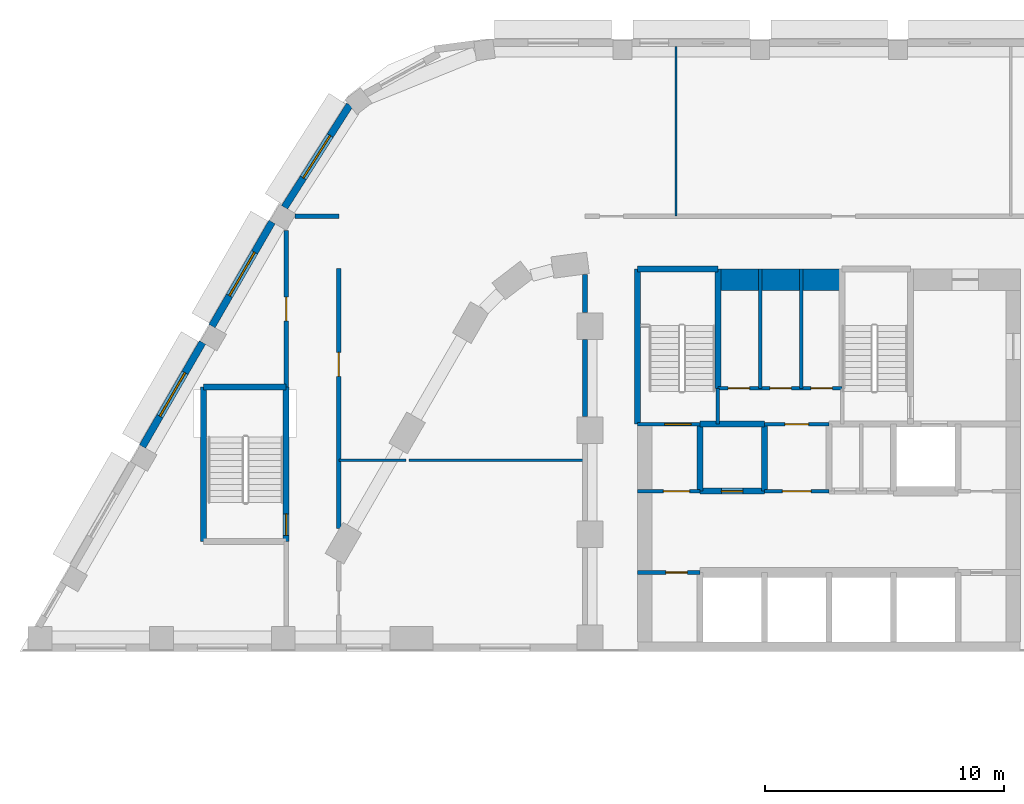
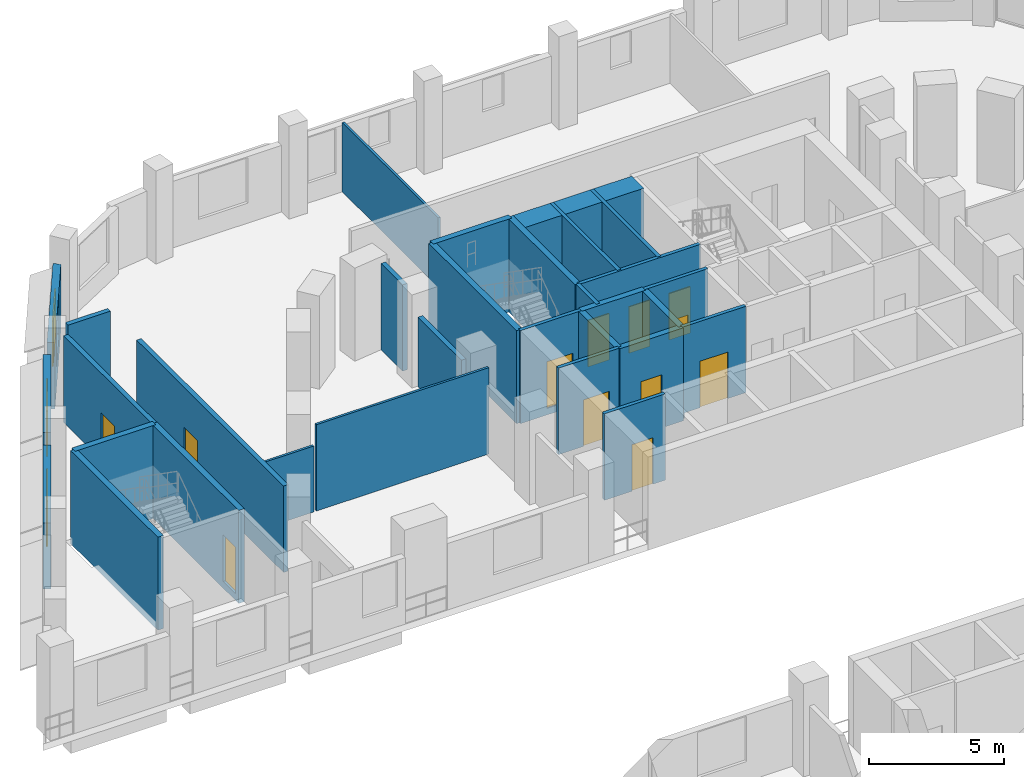
# One storey, part 23 of 47: 31 walls, 12 doors, 3 windows, 15 openings.
"""IFC4 building model written with IfcOpenShell, lengths in metres."""

import ifcopenshell
import ifcopenshell.guid

model = None  # the IFC model being written
_history = None  # IfcOwnerHistory: only IFC2X3 demands one
_inside = {}  # id of a spatial element -> (the spatial element, [elements in it])
_under = {}  # id of a project, library or spatial element -> (it, [spatial elements below it])
_declared = {}  # id of a project -> (the project, [libraries it declares])
_typed = {}  # id of a type object -> (the type object, [elements of that type])
_made_of = {}  # id of a material, layer set ... -> (it, [elements and type objects made of it])


def new_model(schema):
    """Start an empty IFC model of exactly this schema.

    Asked for "IFC4X3", IfcOpenShell would pick the latest addendum, in which some entities
    have other attributes; the version numbers below select the first issue.
    IFC2X3 requires an IfcOwnerHistory on every rooted entity: one is made here for all.
    """
    global model, _history
    if schema == "IFC4X3":
        model = ifcopenshell.file(schema_version=(4, 3, 0, 0))
    else:
        model = ifcopenshell.file(schema=schema)
    _inside.clear()
    _under.clear()
    _declared.clear()
    _typed.clear()
    _made_of.clear()
    _history = None
    if model.schema == "IFC2X3":
        org = make("IfcOrganization", Name="unknown")
        user = make(
            "IfcPersonAndOrganization",
            ThePerson=make("IfcPerson", FamilyName="unknown"),
            TheOrganization=org,
        )
        app = make(
            "IfcApplication",
            ApplicationDeveloper=org,
            Version="unknown",
            ApplicationFullName="unknown",
            ApplicationIdentifier="unknown",
        )
        _history = make(
            "IfcOwnerHistory",
            OwningUser=user,
            OwningApplication=app,
            ChangeAction="ADDED",
            CreationDate=0,
        )
    return model


def make(cls, **values):
    """One entity of the class cls with the attributes given. An attribute that is None is left unset."""
    return model.create_entity(
        cls, **{name: value for name, value in values.items() if value is not None}
    )


def rooted(cls, **values):
    """An entity with a GlobalId (a new one), such as an element, a storey or a relation."""
    return make(cls, GlobalId=ifcopenshell.guid.new(), OwnerHistory=_history, **values)


def si_unit(unit_type, name, prefix=None):
    """IfcSIUnit, for example si_unit("LENGTHUNIT", "METRE", prefix="MILLI")."""
    return make("IfcSIUnit", UnitType=unit_type, Prefix=prefix, Name=name)


def assignment(units):
    """IfcUnitAssignment: the units of a project."""
    return None if units is None else make("IfcUnitAssignment", Units=units)


def point(xyz):
    """IfcCartesianPoint."""
    return None if xyz is None else make("IfcCartesianPoint", Coordinates=xyz)


def direction(xyz):
    """IfcDirection."""
    return None if xyz is None else make("IfcDirection", DirectionRatios=xyz)


def frame(location, z_axis=None, x_axis=None):
    """IfcAxis2Placement3D, a coordinate frame: its origin and axes. An axis left out is left unset."""
    return make(
        "IfcAxis2Placement3D",
        Location=point(location),
        Axis=direction(z_axis),
        RefDirection=direction(x_axis),
    )


def frame_2d(location, x_axis=None):
    """IfcAxis2Placement2D, a coordinate frame in the plane: its origin and x axis."""
    return make(
        "IfcAxis2Placement2D", Location=point(location), RefDirection=direction(x_axis)
    )


def origin():
    """The frame at (0, 0, 0) with its axes left unset."""
    return frame((0.0, 0.0, 0.0))


def place(relative_to, where):
    """IfcLocalPlacement: puts the frame where relative to a parent placement (None: the world)."""
    return make(
        "IfcLocalPlacement", PlacementRelTo=relative_to, RelativePlacement=where
    )


def context(
    kind, dimensions, precision=None, world=None, true_north=None, identifier=None
):
    """IfcGeometricRepresentationContext, for example the 3D "Model" context."""
    return make(
        "IfcGeometricRepresentationContext",
        ContextIdentifier=identifier,
        ContextType=kind,
        CoordinateSpaceDimension=dimensions,
        Precision=precision,
        WorldCoordinateSystem=world,
        TrueNorth=true_north,
    )


def subcontext(parent, identifier, kind, view, scale=None):
    """IfcGeometricRepresentationSubContext, for example "Body" below "Model"."""
    return make(
        "IfcGeometricRepresentationSubContext",
        ContextIdentifier=identifier,
        ContextType=kind,
        ParentContext=parent,
        TargetScale=scale,
        TargetView=view,
    )


def project(units=None, contexts=None):
    """IfcProject with its units and contexts."""
    return rooted(
        "IfcProject",
        Name="project",
        RepresentationContexts=contexts,
        UnitsInContext=assignment(units),
    )


def spatial(cls, under=None, at=None, **own):
    """A site, building, storey or space (cls), placed at a placement, below another one or the project."""
    s = rooted(cls, ObjectPlacement=at, **own)
    if under is not None:
        _under.setdefault(under.id(), (under, []))[1].append(s)
    return s


def profile(cls, at=None, kind="AREA", **sizes):
    """A parametric profile (cls). Its sizes go by their IFC names, for example OverallWidth=200.0."""
    return make(cls, ProfileType=kind, Position=at, **sizes)


def rectangle(**sizes):
    """IfcRectangleProfileDef."""
    return profile("IfcRectangleProfileDef", **sizes)


def extrude(swept, where, along, depth):
    """IfcExtrudedAreaSolid: the profile swept, set in the frame where, extruded along a direction by depth."""
    return make(
        "IfcExtrudedAreaSolid",
        SweptArea=swept,
        Position=where,
        ExtrudedDirection=direction(along),
        Depth=depth,
    )


def shape(context_of_items, identifier, shape_type, items):
    """IfcShapeRepresentation: the items that make up one representation, for example the "Body"."""
    return make(
        "IfcShapeRepresentation",
        ContextOfItems=context_of_items,
        RepresentationIdentifier=identifier,
        RepresentationType=shape_type,
        Items=items,
    )


def material(Name=None, Category=None):
    """IfcMaterial."""
    return make("IfcMaterial", Name=Name, Category=Category)


def layer(
    of_material, thickness, ventilated=None, Name=None, Category=None, Priority=None
):
    """IfcMaterialLayer: one layer of a wall or slab, of a material (None: an air gap)."""
    return make(
        "IfcMaterialLayer",
        Material=of_material,
        LayerThickness=thickness,
        IsVentilated=ventilated,
        Name=Name,
        Category=Category,
        Priority=Priority,
    )


def layer_set(layers, Name=None):
    """IfcMaterialLayerSet."""
    return make("IfcMaterialLayerSet", MaterialLayers=layers, LayerSetName=Name)


def made_of(thing, what):
    """Note that an element or type object is made of a material, layer set ...; save() writes the relation."""
    if what is not None:
        _made_of.setdefault(what.id(), (what, []))[1].append(thing)
    return thing


def type_object(cls, material=None, **own):
    """A type object (cls), such as IfcWallType, which elements share."""
    return made_of(rooted(cls, **own), material)


def element(
    cls,
    number,
    at=None,
    inside=None,
    cuts=None,
    type_object=None,
    material=None,
    context=None,
    identifier="Body",
    shape_type=None,
    held_by="IfcProductDefinitionShape",
    body=None,
    shapes=None,
    **own,
):
    """One element of the class cls, such as IfcWall. Its Tag is "e" and its number.

    at: its placement. inside: the storey or other place that contains it. cuts: it is an
    opening in that element (IfcRelVoidsElement). A single representation is given by context,
    identifier, shape_type and body (its items); several are given by shapes. held_by: the class
    of the entity that holds the representations. save() writes the other relations.
    """
    e = rooted(cls, Tag="e%d" % number, ObjectPlacement=at, **own)
    if body is not None:
        shapes = [shape(context, identifier, shape_type, body)]
    if shapes is not None:
        e.Representation = make(held_by, Representations=shapes)
    if inside is not None:
        _inside.setdefault(inside.id(), (inside, []))[1].append(e)
    if cuts is not None:
        rooted(
            "IfcRelVoidsElement", RelatingBuildingElement=cuts, RelatedOpeningElement=e
        )
    if type_object is not None:
        _typed.setdefault(type_object.id(), (type_object, []))[1].append(e)
    return made_of(e, material)


def fill(opening, filler):
    """IfcRelFillsElement: the door or window that sits in an opening."""
    return rooted(
        "IfcRelFillsElement",
        RelatingOpeningElement=opening,
        RelatedBuildingElement=filler,
    )


def aggregate(whole, parts):
    """IfcRelAggregates: a whole, such as a stair, and the parts it consists of."""
    return rooted("IfcRelAggregates", RelatingObject=whole, RelatedObjects=parts)


def save(model, path):
    """Write the relations noted so far, then the file.

    IfcRelAggregates (storeys below a building ...), IfcRelContainedInSpatialStructure (elements
    in a storey), IfcRelDefinesByType, IfcRelAssociatesMaterial and IfcRelDeclares: one each for
    every whole, place, type object, material and project.
    """
    for whole, parts in _under.values():
        aggregate(whole, parts)
    for where, things in _inside.values():
        rooted(
            "IfcRelContainedInSpatialStructure",
            RelatedElements=things,
            RelatingStructure=where,
        )
    for kind, things in _typed.values():
        rooted("IfcRelDefinesByType", RelatedObjects=things, RelatingType=kind)
    for what, things in _made_of.values():
        rooted("IfcRelAssociatesMaterial", RelatedObjects=things, RelatingMaterial=what)
    for by, libraries in _declared.values():
        rooted("IfcRelDeclares", RelatingContext=by, RelatedDefinitions=libraries)
    model.write(path)


model = new_model("IFC4")

# Units and contexts
model_context = context("Model", 3, precision=1e-05, world=origin(), true_north=direction((0.0, 1.0)))
body_context = subcontext(model_context, "Body", "Model", "MODEL_VIEW")
ifc_project = project(units=[si_unit("LENGTHUNIT", "METRE"), si_unit("AREAUNIT", "SQUARE_METRE"), si_unit("VOLUMEUNIT", "CUBIC_METRE"), si_unit("PLANEANGLEUNIT", "RADIAN"), si_unit("MASSUNIT", "GRAM", prefix="KILO")], contexts=[model_context])

# Site, building, storey
site_placement = place(None, origin())
site = spatial("IfcSite", under=ifc_project, at=site_placement, CompositionType="ELEMENT")
building_placement = place(site_placement, origin())
building = spatial("IfcBuilding", under=site, at=building_placement, Name="Nakaniwa Court", CompositionType="ELEMENT")
storey_placement = place(building_placement, frame((0.0, 0.0, 15.60009765625)))
storey = spatial("IfcBuildingStorey", under=building, at=storey_placement, Name="L03", CompositionType="ELEMENT", Elevation=15.60009765625)

# Wall
ifc_material_1 = material(Name="Acoustic double stud partition")
ifc_layer_1 = layer(ifc_material_1, 0.199951171875)
ifc_layer_set_1 = layer_set([ifc_layer_1], Name="Acoustic double stud partition")
wall_type_1 = type_object("IfcWallType", Name="Acoustic double stud partition 200", PredefinedType="PARTITIONING", material=ifc_layer_set_1)
wall_1_placement = place(storey_placement, frame((57.676513671875, 105.60009765625, 0.0), z_axis=(0.0, 0.0, 1.0), x_axis=(1.0, 0.0, 0.0)))
element("IfcWall", 1, at=wall_1_placement, inside=storey, type_object=wall_type_1, Name="Partition PW-089", PredefinedType="PARTITIONING", context=body_context, shape_type="SweptSolid", body=[
    extrude(rectangle(XDim=1.823486328125, YDim=0.199951171875, at=frame_2d((0.91162109375, 0.0))), origin(), (0.0, 0.0, 1.0), 3.89990234375),
])

# Wall, opening, door
wall_2_placement = place(storey_placement, frame((57.300048828125, 98.447021484375, 0.0), z_axis=(0.0, 0.0, 1.0), x_axis=(0.0, 1.0, 0.0)))
wall_2 = element("IfcWall", 2, at=wall_2_placement, inside=storey, type_object=wall_type_1, Name="Partition PW-097", PredefinedType="PARTITIONING", context=body_context, shape_type="SweptSolid", body=[
    extrude(rectangle(XDim=6.544189453125, YDim=0.199951171875, at=frame_2d((3.27197265625, 0.0))), origin(), (0.0, 0.0, 1.0), 3.89990234375),
])
opening_1_placement = place(wall_2_placement, frame((2.77197265625, 0.0, 0.0)))
opening_1 = element("IfcOpeningElement", 3, at=opening_1_placement, cuts=wall_2, Name="Opening D-02-01", PredefinedType="OPENING", context=body_context, shape_type="SweptSolid", body=[
    extrude(rectangle(XDim=1.0, YDim=2.10009765625, at=frame_2d((0.5, 1.050048828125))), frame((0.0, 0.10986328125, 0.0), z_axis=(0.0, -1.0, 0.0), x_axis=(1.0, 0.0, 0.0)), (0.0, 0.0, 1.0), 0.219970703125),
])
ifc_material_2 = material(Name="Solid core timber door set, black veneer", Category="wood")
door_type_1 = type_object("IfcDoorType", Name="Internal door 1000", OperationType="NOTDEFINED", PredefinedType="DOOR", material=ifc_material_2)
door_1_placement = place(opening_1_placement, origin())
door_1 = element("IfcDoor", 4, at=door_1_placement, inside=storey, type_object=door_type_1, Name="Door D-02-01 L03-031", OperationType="SINGLE_SWING_RIGHT", OverallHeight=2.10009765625, OverallWidth=1.0, PredefinedType="DOOR", context=body_context, shape_type="SweptSolid", body=[
    extrude(rectangle(XDim=1.0, YDim=2.10009765625, at=frame_2d((0.5, 1.050048828125))), frame((0.0, 0.02490234375, 0.0), z_axis=(0.0, -1.0, 0.0), x_axis=(1.0, 0.0, 0.0)), (0.0, 0.0, 1.0), 0.050048828125),
])
fill(opening_1, door_1)

wall_3_placement = place(storey_placement, frame((59.5, 103.403076171875, 0.0), z_axis=(0.0, 0.0, 1.0), x_axis=(0.0, -1.0, 0.0)))
wall_3 = element("IfcWall", 5, at=wall_3_placement, inside=storey, type_object=wall_type_1, Name="Partition PW-101", PredefinedType="PARTITIONING", context=body_context, shape_type="SweptSolid", body=[
    extrude(rectangle(XDim=10.873291015625, YDim=0.199951171875, at=frame_2d((5.4365234375, 0.0))), origin(), (0.0, 0.0, 1.0), 3.89990234375),
])
opening_2_placement = place(wall_3_placement, frame((3.5029296875, 0.0, 0.0)))
opening_2 = element("IfcOpeningElement", 6, at=opening_2_placement, cuts=wall_3, Name="Opening D-02-06", PredefinedType="OPENING", context=body_context, shape_type="SweptSolid", body=[
    extrude(rectangle(XDim=1.0, YDim=2.10009765625, at=frame_2d((0.5, 1.050048828125))), frame((0.0, 0.10986328125, 0.0), z_axis=(0.0, -1.0, 0.0), x_axis=(1.0, 0.0, 0.0)), (0.0, 0.0, 1.0), 0.219970703125),
])
door_2_placement = place(opening_2_placement, origin())
door_2 = element("IfcDoor", 7, at=door_2_placement, inside=storey, type_object=door_type_1, Name="Door D-02-06 L03-036", OperationType="SINGLE_SWING_LEFT", OverallHeight=2.10009765625, OverallWidth=1.0, PredefinedType="DOOR", context=body_context, shape_type="SweptSolid", body=[
    extrude(rectangle(XDim=1.0, YDim=2.10009765625, at=frame_2d((0.5, 1.050048828125))), frame((0.0, 0.02490234375, 0.0), z_axis=(0.0, -1.0, 0.0), x_axis=(1.0, 0.0, 0.0)), (0.0, 0.0, 1.0), 0.050048828125),
])
fill(opening_2, door_2)

# Walls
wall_4_placement = place(storey_placement, frame((69.800048828125, 97.217041015625, 0.0), z_axis=(0.0, 0.0, 1.0), x_axis=(0.0, 1.0, 0.0)))
element("IfcWall", 8, at=wall_4_placement, inside=storey, type_object=wall_type_1, Name="Partition PW-116", PredefinedType="PARTITIONING", context=body_context, shape_type="SweptSolid", body=[
    extrude(rectangle(XDim=3.216064453125, YDim=0.199951171875, at=frame_2d((1.60791015625, 0.0))), origin(), (0.0, 0.0, 1.0), 3.1298828125),
])
wall_5_placement = place(storey_placement, frame((69.800048828125, 101.56689453125, 0.0), z_axis=(0.0, 0.0, 1.0), x_axis=(0.0, 1.0, 0.0)))
element("IfcWall", 9, at=wall_5_placement, inside=storey, type_object=wall_type_1, Name="Partition PW-117", PredefinedType="PARTITIONING", context=body_context, shape_type="SweptSolid", body=[
    extrude(rectangle(XDim=1.59423828125, YDim=0.199951171875, at=frame_2d((0.797119140625, 0.0))), origin(), (0.0, 0.0, 1.0), 3.89990234375),
])

# Wall, opening, window
ifc_material_3 = material(Name="Charcoal ceramic cladding")
ifc_layer_2 = layer(ifc_material_3, 0.02, Name="Ceramic cladding")
ifc_material_4 = material(Name="Ventilated air cavity")
ifc_layer_3 = layer(ifc_material_4, 0.04, ventilated=True, Name="Ventilated cavity")
ifc_material_5 = material(Name="Mineral wool insulation")
ifc_layer_4 = layer(ifc_material_5, 0.1, Name="Insulation")
ifc_material_6 = material(Name="Cement bonded sheathing board")
ifc_layer_5 = layer(ifc_material_6, 0.012, Name="Sheathing")
ifc_material_7 = material(Name="Cold-formed galvanised stud frame with mineral wool infill")
ifc_layer_6 = layer(ifc_material_7, 0.1, Name="Stud frame")
ifc_material_8 = material(Name="Fire-rated gypsum plasterboard lining")
ifc_layer_7 = layer(ifc_material_8, 0.028, Name="Lining")
ifc_layer_set_2 = layer_set([ifc_layer_2, ifc_layer_3, ifc_layer_4, ifc_layer_5, ifc_layer_6, ifc_layer_7], Name="Charcoal ceramic faced external wall system")
wall_type_2 = type_object("IfcWallType", Name="Black ceramic faced external wall 300", PredefinedType="SOLIDWALL", material=ifc_layer_set_2)
wall_6_placement = place(storey_placement, frame((56.7080078125, 105.357177734375, 0.0), z_axis=(0.0, 0.0, 1.0), x_axis=(-0.500011252833, -0.866018906861, 0.0)))
wall_6 = element("IfcWall", 10, at=wall_6_placement, inside=storey, type_object=wall_type_2, Name="L03 external wall 27", PredefinedType="SOLIDWALL", context=body_context, shape_type="SweptSolid", body=[
    extrude(rectangle(XDim=5.02490234375, YDim=0.300048828125, at=frame_2d((2.512451171875, 0.0))), origin(), (0.0, 0.0, 1.0), 3.0),
])
opening_3_placement = place(wall_6_placement, frame((1.46240234375, 0.0, 0.89990234375)))
opening_3 = element("IfcOpeningElement", 11, at=opening_3_placement, cuts=wall_6, Name="Opening W2.22", PredefinedType="OPENING", context=body_context, shape_type="SweptSolid", body=[
    extrude(rectangle(XDim=2.10009765625, YDim=2.050048828125, at=frame_2d((1.050048828125, 1.02490234375))), frame((0.0, 0.159912109375, 0.0), z_axis=(0.0, -1.0, 0.0), x_axis=(1.0, 0.0, 0.0)), (0.0, 0.0, 1.0), 0.320068359375),
])
ifc_material_9 = material(Name="Black anodised aluminium frame with dark low-E laminated double glazing", Category="aluminium")
window_type = type_object("IfcWindowType", Name="Dark glass window 2100x2050 sill 900", PartitioningType="SINGLE_PANEL", PredefinedType="WINDOW", material=ifc_material_9)
window_1_placement = place(opening_3_placement, origin())
window_1 = element("IfcWindow", 12, at=window_1_placement, inside=storey, type_object=window_type, Name="L03 habitable room window 27-0", OverallHeight=2.050048828125, OverallWidth=2.10009765625, PartitioningType="SINGLE_PANEL", PredefinedType="WINDOW", context=body_context, shape_type="SweptSolid", body=[
    extrude(rectangle(XDim=2.10009765625, YDim=2.050048828125, at=frame_2d((1.050048828125, 1.02490234375))), frame((0.0, 0.030029296875, 0.0), z_axis=(0.0, -1.0, 0.0), x_axis=(1.0, 0.0, 0.0)), (0.0, 0.0, 1.0), 0.06005859375),
])
fill(opening_3, window_1)

wall_7_placement = place(storey_placement, frame((53.799560546875, 100.319580078125, 0.0), z_axis=(0.0, 0.0, 1.0), x_axis=(-0.499974811625, -0.866039945811, 0.0)))
wall_7 = element("IfcWall", 13, at=wall_7_placement, inside=storey, type_object=wall_type_2, Name="L03 external wall 28", PredefinedType="SOLIDWALL", context=body_context, shape_type="SweptSolid", body=[
    extrude(rectangle(XDim=5.024658203125, YDim=0.300048828125, at=frame_2d((2.51220703125, 0.0))), origin(), (0.0, 0.0, 1.0), 3.0),
])
opening_4_placement = place(wall_7_placement, frame((1.46240234375, 0.0, 0.89990234375)))
opening_4 = element("IfcOpeningElement", 14, at=opening_4_placement, cuts=wall_7, Name="Opening W2.23", PredefinedType="OPENING", context=body_context, shape_type="SweptSolid", body=[
    extrude(rectangle(XDim=2.10009765625, YDim=2.050048828125, at=frame_2d((1.050048828125, 1.02490234375))), frame((0.0, 0.159912109375, 0.0), z_axis=(0.0, -1.0, 0.0), x_axis=(1.0, 0.0, 0.0)), (0.0, 0.0, 1.0), 0.320068359375),
])
window_2_placement = place(opening_4_placement, origin())
window_2 = element("IfcWindow", 15, at=window_2_placement, inside=storey, type_object=window_type, Name="L03 habitable room window 28-0", OverallHeight=2.050048828125, OverallWidth=2.10009765625, PartitioningType="SINGLE_PANEL", PredefinedType="WINDOW", context=body_context, shape_type="SweptSolid", body=[
    extrude(rectangle(XDim=2.10009765625, YDim=2.050048828125, at=frame_2d((1.050048828125, 1.02490234375))), frame((0.0, 0.030029296875, 0.0), z_axis=(0.0, -1.0, 0.0), x_axis=(1.0, 0.0, 0.0)), (0.0, 0.0, 1.0), 0.06005859375),
])
fill(opening_4, window_2)

wall_8_placement = place(storey_placement, frame((59.95361328125, 110.24755859375, 0.0), z_axis=(0.0, 0.0, 1.0), x_axis=(-0.537224370512, -0.843439372882, 0.0)))
wall_8 = element("IfcWall", 16, at=wall_8_placement, inside=storey, type_object=wall_type_2, Name="L03 external wall 53", PredefinedType="SOLIDWALL", context=body_context, shape_type="SweptSolid", body=[
    extrude(rectangle(XDim=5.07080078125, YDim=0.300048828125, at=frame_2d((2.535400390625, 0.0))), origin(), (0.0, 0.0, 1.0), 3.0),
])
opening_5_placement = place(wall_8_placement, frame((1.51318359375, 0.0, 0.89990234375)))
opening_5 = element("IfcOpeningElement", 17, at=opening_5_placement, cuts=wall_8, Name="Opening W2.43", PredefinedType="OPENING", context=body_context, shape_type="SweptSolid", body=[
    extrude(rectangle(XDim=2.10009765625, YDim=2.050048828125, at=frame_2d((1.050048828125, 1.02490234375))), frame((0.0, 0.159912109375, 0.0), z_axis=(0.0, -1.0, 0.0), x_axis=(1.0, 0.0, 0.0)), (0.0, 0.0, 1.0), 0.320068359375),
])
window_3_placement = place(opening_5_placement, origin())
window_3 = element("IfcWindow", 18, at=window_3_placement, inside=storey, type_object=window_type, Name="L03 habitable room window 53-0", OverallHeight=2.050048828125, OverallWidth=2.10009765625, PartitioningType="SINGLE_PANEL", PredefinedType="WINDOW", context=body_context, shape_type="SweptSolid", body=[
    extrude(rectangle(XDim=2.10009765625, YDim=2.050048828125, at=frame_2d((1.050048828125, 1.02490234375))), frame((0.0, 0.030029296875, 0.0), z_axis=(0.0, -1.0, 0.0), x_axis=(1.0, 0.0, 0.0)), (0.0, 0.0, 1.0), 0.06005859375),
])
fill(opening_5, window_3)

# Wall, opening, door
ifc_material_10 = material(Name="Blockwork partition", Category="masonry")
ifc_layer_8 = layer(ifc_material_10, 0.14990234375)
ifc_layer_set_3 = layer_set([ifc_layer_8], Name="Blockwork partition")
wall_type_3 = type_object("IfcWallType", Name="Blockwork partition 150", PredefinedType="PARTITIONING", material=ifc_layer_set_3)
wall_9_placement = place(storey_placement, frame((74.60009765625, 90.699951171875, 0.0), z_axis=(0.0, 0.0, 1.0), x_axis=(-1.0, 0.0, 0.0)))
wall_9 = element("IfcWall", 19, at=wall_9_placement, inside=storey, type_object=wall_type_3, Name="Partition PW-003", PredefinedType="PARTITIONING", context=body_context, shape_type="SweptSolid", body=[
    extrude(rectangle(XDim=2.60009765625, YDim=0.14990234375, at=frame_2d((1.300048828125, 0.0))), origin(), (0.0, 0.0, 1.0), 3.89990234375),
])
opening_6_placement = place(wall_9_placement, frame((0.52490234375, 0.0, 0.0)))
opening_6 = element("IfcOpeningElement", 20, at=opening_6_placement, cuts=wall_9, Name="Opening D-05-01", PredefinedType="OPENING", context=body_context, shape_type="SweptSolid", body=[
    extrude(rectangle(XDim=0.89990234375, YDim=2.10009765625, at=frame_2d((0.449951171875, 1.050048828125))), frame((0.0, 0.0849609375, 0.0), z_axis=(0.0, -1.0, 0.0), x_axis=(1.0, 0.0, 0.0)), (0.0, 0.0, 1.0), 0.169921875),
])
ifc_material_11 = material(Name="Fire rated steel door set", Category="steel")
door_type_2 = type_object("IfcDoorType", Name="Service room door 900", OperationType="NOTDEFINED", PredefinedType="DOOR", material=ifc_material_11)
door_3_placement = place(opening_6_placement, origin())
door_3 = element("IfcDoor", 21, at=door_3_placement, inside=storey, type_object=door_type_2, Name="Door D-05-01 L03-001", OperationType="SINGLE_SWING_RIGHT", OverallHeight=2.10009765625, OverallWidth=0.89990234375, PredefinedType="DOOR", context=body_context, shape_type="SweptSolid", body=[
    extrude(rectangle(XDim=0.89990234375, YDim=2.10009765625, at=frame_2d((0.449951171875, 1.050048828125))), frame((0.0, 0.02490234375, 0.0), z_axis=(0.0, -1.0, 0.0), x_axis=(1.0, 0.0, 0.0)), (0.0, 0.0, 1.0), 0.050048828125),
])
fill(opening_6, door_3)

wall_10_placement = place(storey_placement, frame((72.0, 94.10009765625, 0.0), z_axis=(0.0, 0.0, 1.0), x_axis=(1.0, 0.0, 0.0)))
wall_10 = element("IfcWall", 22, at=wall_10_placement, inside=storey, type_object=wall_type_3, Name="Partition PW-016", PredefinedType="PARTITIONING", context=body_context, shape_type="SweptSolid", body=[
    extrude(rectangle(XDim=2.60302734375, YDim=0.14990234375, at=frame_2d((1.301513671875, 0.0))), origin(), (0.0, 0.0, 1.0), 3.89990234375),
])
opening_7_placement = place(wall_10_placement, frame((1.074951171875, 0.0, 0.0)))
opening_7 = element("IfcOpeningElement", 23, at=opening_7_placement, cuts=wall_10, Name="Opening D-08-01", PredefinedType="OPENING", context=body_context, shape_type="SweptSolid", body=[
    extrude(rectangle(XDim=1.10009765625, YDim=2.10009765625, at=frame_2d((0.550048828125, 1.050048828125))), frame((0.0, 0.0849609375, 0.0), z_axis=(0.0, -1.0, 0.0), x_axis=(1.0, 0.0, 0.0)), (0.0, 0.0, 1.0), 0.169921875),
])
door_type_3 = type_object("IfcDoorType", Name="Stair lobby door 1100", OperationType="NOTDEFINED", PredefinedType="DOOR", material=ifc_material_11)
door_4_placement = place(opening_7_placement, origin())
door_4 = element("IfcDoor", 24, at=door_4_placement, inside=storey, type_object=door_type_3, Name="Door D-08-01 L03-003", OperationType="SINGLE_SWING_RIGHT", OverallHeight=2.10009765625, OverallWidth=1.10009765625, PredefinedType="DOOR", context=body_context, shape_type="SweptSolid", body=[
    extrude(rectangle(XDim=1.10009765625, YDim=2.10009765625, at=frame_2d((0.550048828125, 1.050048828125))), frame((0.0, 0.02490234375, 0.0), z_axis=(0.0, -1.0, 0.0), x_axis=(1.0, 0.0, 0.0)), (0.0, 0.0, 1.0), 0.050048828125),
])
fill(opening_7, door_4)

wall_11_placement = place(storey_placement, frame((77.297119140625, 94.10009765625, 0.0), z_axis=(0.0, 0.0, 1.0), x_axis=(1.0, 0.0, 0.0)))
wall_11 = element("IfcWall", 25, at=wall_11_placement, inside=storey, type_object=wall_type_3, Name="Partition PW-017", PredefinedType="PARTITIONING", context=body_context, shape_type="SweptSolid", body=[
    extrude(rectangle(XDim=2.705810546875, YDim=0.14990234375, at=frame_2d((1.35302734375, 0.0))), origin(), (0.0, 0.0, 1.0), 3.89990234375),
])
opening_8_placement = place(wall_11_placement, frame((0.7529296875, 0.0, 0.0)))
opening_8 = element("IfcOpeningElement", 26, at=opening_8_placement, cuts=wall_11, Name="Opening D-06-01", PredefinedType="OPENING", context=body_context, shape_type="SweptSolid", body=[
    extrude(rectangle(XDim=1.199951171875, YDim=2.10009765625, at=frame_2d((0.60009765625, 1.050048828125))), frame((0.0, 0.0849609375, 0.0), z_axis=(0.0, -1.0, 0.0), x_axis=(1.0, 0.0, 0.0)), (0.0, 0.0, 1.0), 0.169921875),
])
ifc_material_12 = material(Name="Fire rated steel double door set", Category="steel")
door_type_4 = type_object("IfcDoorType", Name="Service passage double door 1200", OperationType="NOTDEFINED", PredefinedType="DOOR", material=ifc_material_12)
door_5_placement = place(opening_8_placement, origin())
door_5 = element("IfcDoor", 27, at=door_5_placement, inside=storey, type_object=door_type_4, Name="Door D-06-01 L03-005", OperationType="DOUBLE_DOOR_SINGLE_SWING", OverallHeight=2.10009765625, OverallWidth=1.199951171875, PredefinedType="DOOR", context=body_context, shape_type="SweptSolid", body=[
    extrude(rectangle(XDim=1.199951171875, YDim=2.10009765625, at=frame_2d((0.60009765625, 1.050048828125))), frame((0.0, 0.02490234375, 0.0), z_axis=(0.0, -1.0, 0.0), x_axis=(1.0, 0.0, 0.0)), (0.0, 0.0, 1.0), 0.050048828125),
])
fill(opening_8, door_5)

wall_12_placement = place(storey_placement, frame((77.300048828125, 96.89990234375, 0.0), z_axis=(0.0, 0.0, 1.0), x_axis=(1.0, 0.0, 0.0)))
wall_12 = element("IfcWall", 28, at=wall_12_placement, inside=storey, type_object=wall_type_3, Name="Partition PW-025", PredefinedType="PARTITIONING", context=body_context, shape_type="SweptSolid", body=[
    extrude(rectangle(XDim=2.699951171875, YDim=0.14990234375, at=frame_2d((1.35009765625, 0.0))), origin(), (0.0, 0.0, 1.0), 3.89990234375),
])
opening_9_placement = place(wall_12_placement, frame((0.85009765625, 0.0, 0.0)))
opening_9 = element("IfcOpeningElement", 29, at=opening_9_placement, cuts=wall_12, Name="Opening D-23-01", PredefinedType="OPENING", context=body_context, shape_type="SweptSolid", body=[
    extrude(rectangle(XDim=1.0, YDim=2.10009765625, at=frame_2d((0.5, 1.050048828125))), frame((0.0, 0.0849609375, 0.0), z_axis=(0.0, -1.0, 0.0), x_axis=(1.0, 0.0, 0.0)), (0.0, 0.0, 1.0), 0.169921875),
])
door_type_5 = type_object("IfcDoorType", Name="Service room door 1000", OperationType="NOTDEFINED", PredefinedType="DOOR", material=ifc_material_11)
door_6_placement = place(opening_9_placement, origin())
door_6 = element("IfcDoor", 30, at=door_6_placement, inside=storey, type_object=door_type_5, Name="Door D-23-01 L03-009", OperationType="SINGLE_SWING_RIGHT", OverallHeight=2.10009765625, OverallWidth=1.0, PredefinedType="DOOR", context=body_context, shape_type="SweptSolid", body=[
    extrude(rectangle(XDim=1.0, YDim=2.10009765625, at=frame_2d((0.5, 1.050048828125))), frame((0.0, 0.02490234375, 0.0), z_axis=(0.0, -1.0, 0.0), x_axis=(1.0, 0.0, 0.0)), (0.0, 0.0, 1.0), 0.050048828125),
])
fill(opening_9, door_6)

# Wall, openings, doors
wall_13_placement = place(storey_placement, frame((75.35009765625, 98.39990234375, 0.0), z_axis=(0.0, 0.0, 1.0), x_axis=(1.0, 0.0, 0.0)))
wall_13 = element("IfcWall", 31, at=wall_13_placement, inside=storey, type_object=wall_type_3, Name="Partition PW-037", PredefinedType="PARTITIONING", context=body_context, shape_type="SweptSolid", body=[
    extrude(rectangle(XDim=5.199951171875, YDim=0.14990234375, at=frame_2d((2.60009765625, 0.0))), origin(), (0.0, 0.0, 1.0), 3.89990234375),
])
opening_10_placement = place(wall_13_placement, frame((0.43408203125, 0.0, 0.0)))
opening_10 = element("IfcOpeningElement", 32, at=opening_10_placement, cuts=wall_13, Name="Opening D-05-07", PredefinedType="OPENING", context=body_context, shape_type="SweptSolid", body=[
    extrude(rectangle(XDim=0.89990234375, YDim=2.10009765625, at=frame_2d((0.449951171875, 1.050048828125))), frame((0.0, 0.0849609375, 0.0), z_axis=(0.0, -1.0, 0.0), x_axis=(1.0, 0.0, 0.0)), (0.0, 0.0, 1.0), 0.169921875),
])
opening_11_placement = place(wall_13_placement, frame((2.176025390625, 0.0, 0.0)))
opening_11 = element("IfcOpeningElement", 33, at=opening_11_placement, cuts=wall_13, Name="Opening D-05-08", PredefinedType="OPENING", context=body_context, shape_type="SweptSolid", body=[
    extrude(rectangle(XDim=0.89990234375, YDim=2.10009765625, at=frame_2d((0.449951171875, 1.050048828125))), frame((0.0, 0.0849609375, 0.0), z_axis=(0.0, -1.0, 0.0), x_axis=(1.0, 0.0, 0.0)), (0.0, 0.0, 1.0), 0.169921875),
])
opening_12_placement = place(wall_13_placement, frame((3.89208984375, 0.0, 0.0)))
opening_12 = element("IfcOpeningElement", 34, at=opening_12_placement, cuts=wall_13, Name="Opening D-05-09", PredefinedType="OPENING", context=body_context, shape_type="SweptSolid", body=[
    extrude(rectangle(XDim=0.89990234375, YDim=2.10009765625, at=frame_2d((0.449951171875, 1.050048828125))), frame((0.0, 0.0849609375, 0.0), z_axis=(0.0, -1.0, 0.0), x_axis=(1.0, 0.0, 0.0)), (0.0, 0.0, 1.0), 0.169921875),
])
door_7_placement = place(opening_10_placement, origin())
door_7 = element("IfcDoor", 35, at=door_7_placement, inside=storey, type_object=door_type_2, Name="Door D-05-07 L03-010", OperationType="SINGLE_SWING_LEFT", OverallHeight=2.10009765625, OverallWidth=0.89990234375, PredefinedType="DOOR", context=body_context, shape_type="SweptSolid", body=[
    extrude(rectangle(XDim=0.89990234375, YDim=2.10009765625, at=frame_2d((0.449951171875, 1.050048828125))), frame((0.0, 0.02490234375, 0.0), z_axis=(0.0, -1.0, 0.0), x_axis=(1.0, 0.0, 0.0)), (0.0, 0.0, 1.0), 0.050048828125),
])
fill(opening_10, door_7)
door_8_placement = place(opening_11_placement, origin())
door_8 = element("IfcDoor", 36, at=door_8_placement, inside=storey, type_object=door_type_2, Name="Door D-05-08 L03-011", OperationType="SINGLE_SWING_RIGHT", OverallHeight=2.10009765625, OverallWidth=0.89990234375, PredefinedType="DOOR", context=body_context, shape_type="SweptSolid", body=[
    extrude(rectangle(XDim=0.89990234375, YDim=2.10009765625, at=frame_2d((0.449951171875, 1.050048828125))), frame((0.0, 0.02490234375, 0.0), z_axis=(0.0, -1.0, 0.0), x_axis=(1.0, 0.0, 0.0)), (0.0, 0.0, 1.0), 0.050048828125),
])
fill(opening_11, door_8)
door_9_placement = place(opening_12_placement, origin())
door_9 = element("IfcDoor", 37, at=door_9_placement, inside=storey, type_object=door_type_2, Name="Door D-05-09 L03-012", OperationType="SINGLE_SWING_LEFT", OverallHeight=2.10009765625, OverallWidth=0.89990234375, PredefinedType="DOOR", context=body_context, shape_type="SweptSolid", body=[
    extrude(rectangle(XDim=0.89990234375, YDim=2.10009765625, at=frame_2d((0.449951171875, 1.050048828125))), frame((0.0, 0.02490234375, 0.0), z_axis=(0.0, -1.0, 0.0), x_axis=(1.0, 0.0, 0.0)), (0.0, 0.0, 1.0), 0.050048828125),
])
fill(opening_12, door_9)

# Walls
for number, where, z_axis, x_axis, name in (
    (38, (77.117919921875, 98.39990234375, 0.0), (0.0, 0.0, 1.0), (0.0, 1.0, 0.0), "Partition PW-038"),
    (39, (78.833984375, 98.39990234375, 0.0), (0.0, 0.0, 1.0), (0.0, 1.0, 0.0), "Partition PW-039"),
):
    element("IfcWall", number, at=place(storey_placement, frame(where, z_axis=z_axis, x_axis=x_axis)), inside=storey, type_object=wall_type_3, Name=name, PredefinedType="PARTITIONING", context=body_context, shape_type="SweptSolid", body=[
        extrude(rectangle(XDim=5.0, YDim=0.14990234375, at=frame_2d((2.5, 0.0))), origin(), (0.0, 0.0, 1.0), 3.89990234375),
    ])

# Wall, opening, door
ifc_material_13 = material(Name="Concrete C100/115", Category="concrete")
ifc_layer_9 = layer(ifc_material_13, 0.14990234375)
ifc_layer_set_4 = layer_set([ifc_layer_9], Name="Concrete C100/115")
wall_type_4 = type_object("IfcWallType", Name="Concrete core wall 150 C100", PredefinedType="SHEAR", material=ifc_layer_set_4)
wall_14_placement = place(storey_placement, frame((74.60009765625, 96.89990234375, -0.300048828125), z_axis=(0.0, 0.0, 1.0), x_axis=(-1.0, 0.0, 0.0)))
wall_14 = element("IfcWall", 40, at=wall_14_placement, inside=storey, type_object=wall_type_4, Name="Core wall SW-22", PredefinedType="SHEAR", context=body_context, shape_type="SweptSolid", body=[
    extrude(rectangle(XDim=2.60009765625, YDim=0.14990234375, at=frame_2d((1.300048828125, 0.0))), origin(), (0.0, 0.0, 1.0), 4.199951171875),
])
opening_13_placement = place(wall_14_placement, frame((0.3701171875, 0.0, 0.300048828125)))
opening_13 = element("IfcOpeningElement", 41, at=opening_13_placement, cuts=wall_14, Name="Opening D-09-01", PredefinedType="OPENING", context=body_context, shape_type="SweptSolid", body=[
    extrude(rectangle(XDim=1.10009765625, YDim=2.10009765625, at=frame_2d((0.550048828125, 1.050048828125))), frame((0.0, 0.0849609375, 0.0), z_axis=(0.0, -1.0, 0.0), x_axis=(1.0, 0.0, 0.0)), (0.0, 0.0, 1.0), 0.169921875),
])
door_type_6 = type_object("IfcDoorType", Name="Stair door 1100", OperationType="NOTDEFINED", PredefinedType="DOOR", material=ifc_material_11)
door_10_placement = place(opening_13_placement, origin())
door_10 = element("IfcDoor", 42, at=door_10_placement, inside=storey, type_object=door_type_6, Name="Door D-09-01 L03-013", OperationType="SINGLE_SWING_LEFT", OverallHeight=2.10009765625, OverallWidth=1.10009765625, PredefinedType="DOOR", context=body_context, shape_type="SweptSolid", body=[
    extrude(rectangle(XDim=1.10009765625, YDim=2.10009765625, at=frame_2d((0.550048828125, 1.050048828125))), frame((0.0, 0.02490234375, 0.0), z_axis=(0.0, -1.0, 0.0), x_axis=(1.0, 0.0, 0.0)), (0.0, 0.0, 1.0), 0.050048828125),
])
fill(opening_13, door_10)

# Walls
wall_15_placement = place(storey_placement, frame((75.35009765625, 96.89990234375, -0.300048828125), z_axis=(0.0, 0.0, 1.0), x_axis=(0.0, 1.0, 0.0)))
element("IfcWall", 43, at=wall_15_placement, inside=storey, type_object=wall_type_4, Name="Core wall SW-27", PredefinedType="SHEAR", context=body_context, shape_type="SweptSolid", body=[
    extrude(rectangle(XDim=1.503173828125, YDim=0.14990234375, at=frame_2d((0.75146484375, 0.0))), origin(), (0.0, 0.0, 1.0), 4.199951171875),
])
ifc_layer_10 = layer(ifc_material_13, 0.25)
ifc_layer_set_5 = layer_set([ifc_layer_10], Name="Concrete C100/115")
wall_type_5 = type_object("IfcWallType", Name="Concrete core wall 250 C100", PredefinedType="SHEAR", material=ifc_layer_set_5)
wall_16_placement = place(storey_placement, frame((72.0, 96.89990234375, -0.300048828125), z_axis=(0.0, 0.0, 1.0), x_axis=(0.0, 1.0, 0.0)))
element("IfcWall", 44, at=wall_16_placement, inside=storey, type_object=wall_type_5, Name="Core wall SW-29", PredefinedType="SHEAR", context=body_context, shape_type="SweptSolid", body=[
    extrude(rectangle(XDim=6.5, YDim=0.25, at=frame_2d((3.25, 0.0))), origin(), (0.0, 0.0, 1.0), 4.199951171875),
])
wall_17_placement = place(storey_placement, frame((72.0, 103.39990234375, -0.300048828125), z_axis=(0.0, 0.0, 1.0), x_axis=(1.0, 0.0, 0.0)))
element("IfcWall", 45, at=wall_17_placement, inside=storey, type_object=wall_type_5, Name="Core wall SW-30", PredefinedType="SHEAR", context=body_context, shape_type="SweptSolid", body=[
    extrude(rectangle(XDim=3.35009765625, YDim=0.25, at=frame_2d((1.675048828125, 0.0))), origin(), (0.0, 0.0, 1.0), 4.199951171875),
])

# Wall, opening, door
wall_18_placement = place(storey_placement, frame((57.300048828125, 98.452880859375, -0.300048828125), z_axis=(0.0, 0.0, 1.0), x_axis=(0.0, -1.0, 0.0)))
wall_18 = element("IfcWall", 46, at=wall_18_placement, inside=storey, type_object=wall_type_5, Name="Core wall SW-93", PredefinedType="SHEAR", context=body_context, shape_type="SweptSolid", body=[
    extrude(rectangle(XDim=6.455810546875, YDim=0.25, at=frame_2d((3.22802734375, 0.0))), origin(), (0.0, 0.0, 1.0), 4.199951171875),
])
opening_14_placement = place(wall_18_placement, frame((5.305908203125, 0.0, 0.300048828125)))
opening_14 = element("IfcOpeningElement", 47, at=opening_14_placement, cuts=wall_18, Name="Opening D-11-04", PredefinedType="OPENING", context=body_context, shape_type="SweptSolid", body=[
    extrude(rectangle(XDim=0.89990234375, YDim=2.10009765625, at=frame_2d((0.449951171875, 1.050048828125))), frame((0.0, 0.135009765625, 0.0), z_axis=(0.0, -1.0, 0.0), x_axis=(1.0, 0.0, 0.0)), (0.0, 0.0, 1.0), 0.27001953125),
])
door_type_7 = type_object("IfcDoorType", Name="Stair door 900", OperationType="NOTDEFINED", PredefinedType="DOOR", material=ifc_material_11)
door_11_placement = place(opening_14_placement, origin())
door_11 = element("IfcDoor", 48, at=door_11_placement, inside=storey, type_object=door_type_7, Name="Door D-11-04 L03-030", OperationType="SINGLE_SWING_RIGHT", OverallHeight=2.10009765625, OverallWidth=0.89990234375, PredefinedType="DOOR", context=body_context, shape_type="SweptSolid", body=[
    extrude(rectangle(XDim=0.89990234375, YDim=2.10009765625, at=frame_2d((0.449951171875, 1.050048828125))), frame((0.0, 0.02490234375, 0.0), z_axis=(0.0, -1.0, 0.0), x_axis=(1.0, 0.0, 0.0)), (0.0, 0.0, 1.0), 0.050048828125),
])
fill(opening_14, door_11)

# Walls
wall_19_placement = place(storey_placement, frame((53.85009765625, 98.449951171875, -0.300048828125), z_axis=(0.0, 0.0, 1.0), x_axis=(1.0, 0.0, 0.0)))
element("IfcWall", 49, at=wall_19_placement, inside=storey, type_object=wall_type_5, Name="Core wall SW-120", PredefinedType="SHEAR", context=body_context, shape_type="SweptSolid", body=[
    extrude(rectangle(XDim=3.449951171875, YDim=0.25, at=frame_2d((1.72509765625, 0.0))), origin(), (0.0, 0.0, 1.0), 4.199951171875),
])
wall_20_placement = place(storey_placement, frame((53.85009765625, 92.0, -0.300048828125), z_axis=(0.0, 0.0, 1.0), x_axis=(0.0, 1.0, 0.0)))
element("IfcWall", 50, at=wall_20_placement, inside=storey, type_object=wall_type_5, Name="Core wall SW-125", PredefinedType="SHEAR", context=body_context, shape_type="SweptSolid", body=[
    extrude(rectangle(XDim=6.449951171875, YDim=0.25, at=frame_2d((3.22509765625, 0.0))), origin(), (0.0, 0.0, 1.0), 4.199951171875),
])
ifc_layer_11 = layer(ifc_material_13, 0.89990234375)
ifc_layer_set_6 = layer_set([ifc_layer_11], Name="Concrete C100/115")
wall_type_6 = type_object("IfcWallType", Name="Concrete core wall 900 C100", PredefinedType="SHEAR", material=ifc_layer_set_6)
wall_21_placement = place(storey_placement, frame((75.35009765625, 102.949951171875, -0.300048828125), z_axis=(0.0, 0.0, 1.0), x_axis=(1.0, 0.0, 0.0)))
element("IfcWall", 51, at=wall_21_placement, inside=storey, type_object=wall_type_6, Name="Core wall SW-35", PredefinedType="SHEAR", context=body_context, shape_type="SweptSolid", body=[
    extrude(rectangle(XDim=5.199951171875, YDim=0.89990234375, at=frame_2d((2.60009765625, 0.0))), origin(), (0.0, 0.0, 1.0), 4.199951171875),
])
ifc_layer_12 = layer(ifc_material_13, 0.25)
ifc_layer_set_7 = layer_set([ifc_layer_12], Name="Concrete C100/115")
wall_type_7 = type_object("IfcWallType", Name="Concrete shaft wall 250 C100", PredefinedType="SHEAR", material=ifc_layer_set_7)
for number, where, z_axis, x_axis, name in (
    (52, (74.60009765625, 94.10009765625, -0.300048828125), (0.0, 0.0, 1.0), (0.0, 1.0, 0.0), "Core wall SW-02"),
    (53, (77.300048828125, 94.10009765625, -0.300048828125), (0.0, 0.0, 1.0), (0.0, 1.0, 0.0), "Core wall SW-06"),
):
    element("IfcWall", number, at=place(storey_placement, frame(where, z_axis=z_axis, x_axis=x_axis)), inside=storey, type_object=wall_type_7, Name=name, PredefinedType="SHEAR", context=body_context, shape_type="SweptSolid", body=[
        extrude(rectangle(XDim=2.7998046875, YDim=0.25, at=frame_2d((1.39990234375, 0.0))), origin(), (0.0, 0.0, 1.0), 4.199951171875),
    ])

# Wall, opening, door
wall_22_placement = place(storey_placement, frame((74.596923828125, 94.10009765625, -0.300048828125), z_axis=(0.0, 0.0, 1.0), x_axis=(1.0, 0.0, 0.0)))
wall_22 = element("IfcWall", 54, at=wall_22_placement, inside=storey, type_object=wall_type_7, Name="Core wall SW-19", PredefinedType="SHEAR", context=body_context, shape_type="SweptSolid", body=[
    extrude(rectangle(XDim=2.7060546875, YDim=0.25, at=frame_2d((1.35302734375, 0.0))), origin(), (0.0, 0.0, 1.0), 4.199951171875),
])
opening_15_placement = place(wall_22_placement, frame((0.903076171875, 0.0, 0.300048828125)))
opening_15 = element("IfcOpeningElement", 55, at=opening_15_placement, cuts=wall_22, Name="Opening D-05-03", PredefinedType="OPENING", context=body_context, shape_type="SweptSolid", body=[
    extrude(rectangle(XDim=0.89990234375, YDim=2.10009765625, at=frame_2d((0.449951171875, 1.050048828125))), frame((0.0, 0.135009765625, 0.0), z_axis=(0.0, -1.0, 0.0), x_axis=(1.0, 0.0, 0.0)), (0.0, 0.0, 1.0), 0.27001953125),
])
door_12_placement = place(opening_15_placement, origin())
door_12 = element("IfcDoor", 56, at=door_12_placement, inside=storey, type_object=door_type_2, Name="Door D-05-03 L03-004", OperationType="SINGLE_SWING_LEFT", OverallHeight=2.10009765625, OverallWidth=0.89990234375, PredefinedType="DOOR", context=body_context, shape_type="SweptSolid", body=[
    extrude(rectangle(XDim=0.89990234375, YDim=2.10009765625, at=frame_2d((0.449951171875, 1.050048828125))), frame((0.0, 0.02490234375, 0.0), z_axis=(0.0, -1.0, 0.0), x_axis=(1.0, 0.0, 0.0)), (0.0, 0.0, 1.0), 0.050048828125),
])
fill(opening_15, door_12)

# Walls
wall_23_placement = place(storey_placement, frame((74.60009765625, 96.89990234375, -0.300048828125), z_axis=(0.0, 0.0, 1.0), x_axis=(1.0, 0.0, 0.0)))
element("IfcWall", 57, at=wall_23_placement, inside=storey, type_object=wall_type_7, Name="Core wall SW-23", PredefinedType="SHEAR", context=body_context, shape_type="SweptSolid", body=[
    extrude(rectangle(XDim=2.699951171875, YDim=0.25, at=frame_2d((1.35009765625, 0.0))), origin(), (0.0, 0.0, 1.0), 4.199951171875),
])
wall_24_placement = place(storey_placement, frame((75.35009765625, 98.39697265625, -0.300048828125), z_axis=(0.0, 0.0, 1.0), x_axis=(0.0, 1.0, 0.0)))
element("IfcWall", 58, at=wall_24_placement, inside=storey, type_object=wall_type_7, Name="Core wall SW-28", PredefinedType="SHEAR", context=body_context, shape_type="SweptSolid", body=[
    extrude(rectangle(XDim=5.0029296875, YDim=0.25, at=frame_2d((2.50146484375, 0.0))), origin(), (0.0, 0.0, 1.0), 4.199951171875),
])
ifc_material_14 = material(Name="Single stud plasterboard partition")
ifc_layer_13 = layer(ifc_material_14, 0.10009765625)
ifc_layer_set_8 = layer_set([ifc_layer_13], Name="Single stud plasterboard partition")
wall_type_8 = type_object("IfcWallType", Name="Single stud plasterboard partition 100", PredefinedType="PARTITIONING", material=ifc_layer_set_8)
wall_25_placement = place(storey_placement, frame((59.5, 95.39990234375, 0.0), z_axis=(0.0, 0.0, 1.0), x_axis=(1.0, 0.0, 0.0)))
element("IfcWall", 59, at=wall_25_placement, inside=storey, type_object=wall_type_8, Name="Partition PW-126", PredefinedType="PARTITIONING", context=body_context, shape_type="SweptSolid", body=[
    extrude(rectangle(XDim=2.819580078125, YDim=0.10009765625, at=frame_2d((1.40966796875, 0.0))), origin(), (0.0, 0.0, 1.0), 2.97998046875),
])
wall_26_placement = place(storey_placement, frame((62.43359375, 95.39990234375, 0.0), z_axis=(0.0, 0.0, 1.0), x_axis=(1.0, 0.0, 0.0)))
element("IfcWall", 60, at=wall_26_placement, inside=storey, type_object=wall_type_8, Name="Partition PW-127", PredefinedType="PARTITIONING", context=body_context, shape_type="SweptSolid", body=[
    extrude(rectangle(XDim=7.366455078125, YDim=0.10009765625, at=frame_2d((3.68310546875, 0.0))), origin(), (0.0, 0.0, 1.0), 3.89990234375),
])
wall_27_placement = place(storey_placement, frame((73.60009765625, 105.60009765625, 0.0), z_axis=(0.0, 0.0, 1.0), x_axis=(0.0, 1.0, 0.0)))
element("IfcWall", 61, at=wall_27_placement, inside=storey, type_object=wall_type_8, Name="Partition PW-130", PredefinedType="PARTITIONING", context=body_context, shape_type="SweptSolid", body=[
    extrude(rectangle(XDim=7.099853515625, YDim=0.10009765625, at=frame_2d((3.5498046875, 0.0))), origin(), (0.0, 0.0, 1.0), 3.1298828125),
])

save(model, "model.ifc")
